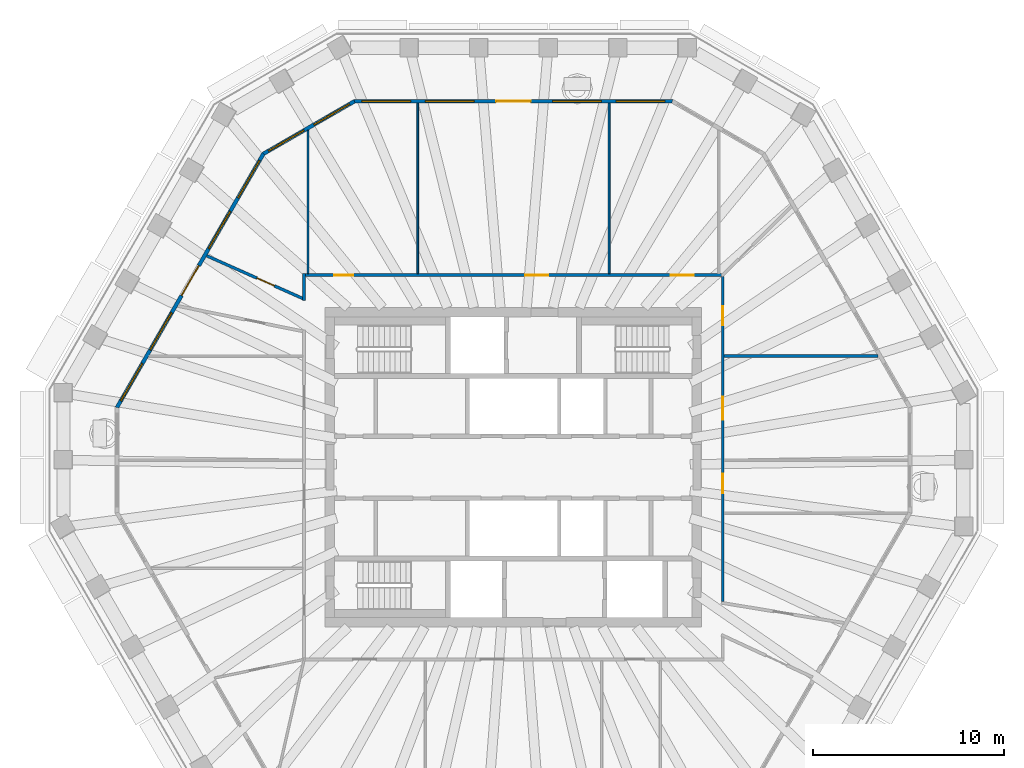
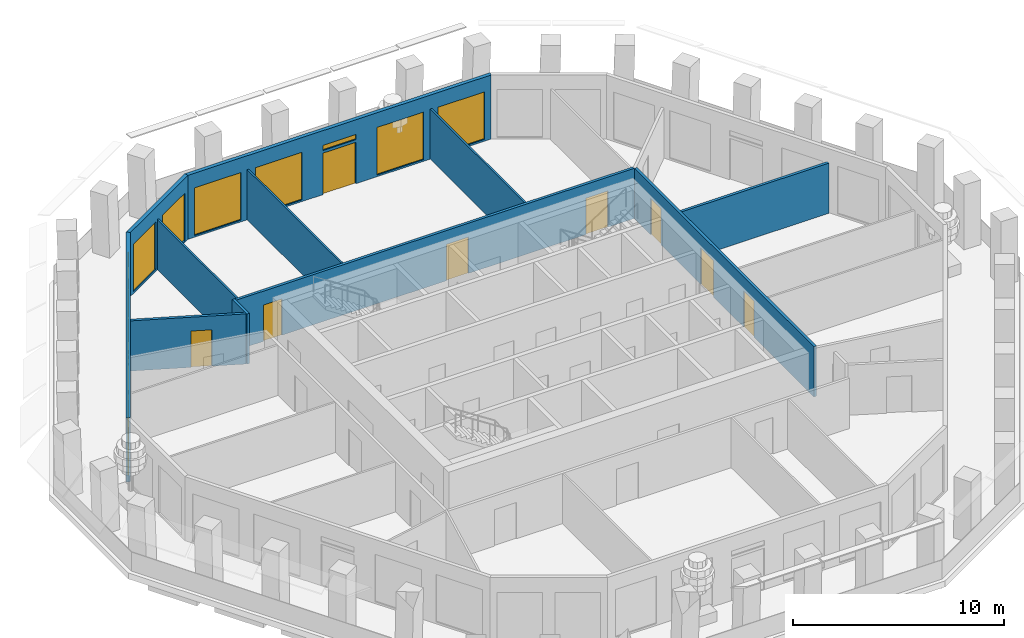
# One storey, part 6 of 11: 12 windows, 11 walls, 9 doors, 21 openings.
"""IFC4 building model written with IfcOpenShell, lengths in metres."""

from ifc_helpers import new_model, si_unit, direction, frame, frame_2d, origin, place, context, subcontext, project, spatial, polyline, rectangle, outline, extrude, material, layer, layer_set, type_object, element, fill, save


model = new_model("IFC4")

# Units and contexts
model_context = context("Model", 3, precision=1e-05, world=origin(), true_north=direction((0.0, 1.0)))
body_context = subcontext(model_context, "Body", "Model", "MODEL_VIEW")
ifc_project = project(units=[si_unit("LENGTHUNIT", "METRE"), si_unit("AREAUNIT", "SQUARE_METRE"), si_unit("VOLUMEUNIT", "CUBIC_METRE"), si_unit("PLANEANGLEUNIT", "RADIAN"), si_unit("MASSUNIT", "GRAM", prefix="KILO")], contexts=[model_context])

# Site, building, storey
site_placement = place(None, origin())
site = spatial("IfcSite", under=ifc_project, at=site_placement, CompositionType="ELEMENT")
building_placement = place(site_placement, origin())
building = spatial("IfcBuilding", under=site, at=building_placement, Name="Frailejon Research Tower", CompositionType="ELEMENT")
storey_placement = place(building_placement, frame((0.0, 0.0, 275.0)))
storey = spatial("IfcBuildingStorey", under=building, at=storey_placement, Name="L60", CompositionType="ELEMENT", Elevation=275.0)

# Wall, opening, door
ifc_material_1 = material(Name="Gypsum board and masonry partition", Category="masonry")
ifc_layer_1 = layer(ifc_material_1, 0.14990234375)
ifc_layer_set_1 = layer_set([ifc_layer_1], Name="Corridor wall EI 60, gypsum on steel studs 150")
wall_type_1 = type_object("IfcWallType", Name="Corridor wall EI 60, gypsum on steel studs 150", PredefinedType="PARTITIONING", material=ifc_layer_set_1)
wall_1_placement = place(storey_placement, frame((-16.044921875, 11.0634765625, 0.0), z_axis=(0.0, 0.0, 1.0), x_axis=(0.913864623632, -0.406019026246, 0.0)))
wall_1 = element("IfcWall", 1, at=wall_1_placement, inside=storey, type_object=wall_type_1, Name="T:IW:L60:001", PredefinedType="PARTITIONING", context=body_context, shape_type="SweptSolid", body=[
    extrude(rectangle(XDim=5.500244140625, YDim=0.14990234375, at=frame_2d((2.75, 0.0))), origin(), (0.0, 0.0, 1.0), 2.89990234375),
])
opening_1_placement = place(wall_1_placement, frame((2.868896484375, 0.0, 0.0)))
opening_1 = element("IfcOpeningElement", 2, at=opening_1_placement, cuts=wall_1, Name="Opening D2157", PredefinedType="OPENING", context=body_context, shape_type="SweptSolid", body=[
    extrude(rectangle(XDim=1.0, YDim=2.10009765625, at=frame_2d((0.5, 1.050048828125))), frame((0.0, 0.0849609375, 0.0), z_axis=(0.0, -1.0, 0.0), x_axis=(1.0, 0.0, 0.0)), (0.0, 0.0, 1.0), 0.169921875),
])
ifc_material_2 = material(Name="Timber door leaf", Category="wood")
door_type_1 = type_object("IfcDoorType", Name="Door single leaf, timber, steel frame 1000", OperationType="NOTDEFINED", PredefinedType="DOOR", material=ifc_material_2)
door_1_placement = place(opening_1_placement, origin())
door_1 = element("IfcDoor", 3, at=door_1_placement, inside=storey, type_object=door_type_1, Name="D2157", OperationType="SINGLE_SWING_RIGHT", OverallHeight=2.10009765625, OverallWidth=1.0, PredefinedType="DOOR", context=body_context, shape_type="SweptSolid", body=[
    extrude(rectangle(XDim=1.0, YDim=2.10009765625, at=frame_2d((0.5, 1.050048828125))), frame((0.0, 0.02490234375, 0.0), z_axis=(0.0, -1.0, 0.0), x_axis=(1.0, 0.0, 0.0)), (0.0, 0.0, 1.0), 0.050048828125),
])
fill(opening_1, door_1)

# Wall, openings, doors
wall_2_placement = place(storey_placement, frame((10.949951171875, -7.02490234375, 0.0), z_axis=(0.0, 0.0, 1.0), x_axis=(0.0, 1.0, 0.0)))
wall_2 = element("IfcWall", 4, at=wall_2_placement, inside=storey, type_object=wall_type_1, Name="T:IW:L60:004", PredefinedType="PARTITIONING", context=body_context, shape_type="SweptSolid", body=[
    extrude(rectangle(XDim=17.0, YDim=0.14990234375, at=frame_2d((8.5, 0.0))), origin(), (0.0, 0.0, 1.0), 2.89990234375),
])
opening_2_placement = place(wall_2_placement, frame((9.52294921875, 0.0, 0.0)))
opening_2 = element("IfcOpeningElement", 5, at=opening_2_placement, cuts=wall_2, Name="Opening D2151", PredefinedType="OPENING", context=body_context, shape_type="SweptSolid", body=[
    extrude(rectangle(XDim=1.199951171875, YDim=2.10009765625, at=frame_2d((0.60009765625, 1.050048828125))), frame((0.0, 0.0849609375, 0.0), z_axis=(0.0, -1.0, 0.0), x_axis=(1.0, 0.0, 0.0)), (0.0, 0.0, 1.0), 0.169921875),
])
opening_3_placement = place(wall_2_placement, frame((14.45947265625, 0.0, 0.0)))
opening_3 = element("IfcOpeningElement", 6, at=opening_3_placement, cuts=wall_2, Name="Opening D2152", PredefinedType="OPENING", context=body_context, shape_type="SweptSolid", body=[
    extrude(rectangle(XDim=1.0, YDim=2.10009765625, at=frame_2d((0.5, 1.050048828125))), frame((0.0, 0.0849609375, 0.0), z_axis=(0.0, -1.0, 0.0), x_axis=(1.0, 0.0, 0.0)), (0.0, 0.0, 1.0), 0.169921875),
])
opening_4_placement = place(wall_2_placement, frame((5.674560546875, 0.0, 0.0)))
opening_4 = element("IfcOpeningElement", 7, at=opening_4_placement, cuts=wall_2, Name="Opening D2168", PredefinedType="OPENING", context=body_context, shape_type="SweptSolid", body=[
    extrude(rectangle(XDim=1.0, YDim=2.10009765625, at=frame_2d((0.5, 1.050048828125))), frame((0.0, 0.0849609375, 0.0), z_axis=(0.0, -1.0, 0.0), x_axis=(1.0, 0.0, 0.0)), (0.0, 0.0, 1.0), 0.169921875),
])
ifc_material_3 = material(Name="Timber door leaf", Category="wood")
door_type_2 = type_object("IfcDoorType", Name="Door laboratory, timber, vision panel 1000", OperationType="NOTDEFINED", PredefinedType="DOOR", material=ifc_material_3)
door_2_placement = place(opening_3_placement, origin())
door_2 = element("IfcDoor", 8, at=door_2_placement, inside=storey, type_object=door_type_2, Name="D2152", OperationType="SINGLE_SWING_LEFT", OverallHeight=2.10009765625, OverallWidth=1.0, PredefinedType="DOOR", context=body_context, shape_type="SweptSolid", body=[
    extrude(rectangle(XDim=1.0, YDim=2.10009765625, at=frame_2d((0.5, 1.050048828125))), frame((0.0, 0.02490234375, 0.0), z_axis=(0.0, -1.0, 0.0), x_axis=(1.0, 0.0, 0.0)), (0.0, 0.0, 1.0), 0.050048828125),
])
fill(opening_3, door_2)
door_3_placement = place(opening_4_placement, origin())
door_3 = element("IfcDoor", 9, at=door_3_placement, inside=storey, type_object=door_type_1, Name="D2168", OperationType="SINGLE_SWING_RIGHT", OverallHeight=2.10009765625, OverallWidth=1.0, PredefinedType="DOOR", context=body_context, shape_type="SweptSolid", body=[
    extrude(rectangle(XDim=1.0, YDim=2.10009765625, at=frame_2d((0.5, 1.050048828125))), frame((0.0, 0.02490234375, 0.0), z_axis=(0.0, -1.0, 0.0), x_axis=(1.0, 0.0, 0.0)), (0.0, 0.0, 1.0), 0.050048828125),
])
fill(opening_4, door_3)
ifc_material_4 = material(Name="Timber door leaf", Category="wood")
door_type_3 = type_object("IfcDoorType", Name="Door single leaf, timber, steel frame 1200", OperationType="NOTDEFINED", PredefinedType="DOOR", material=ifc_material_4)
door_4_placement = place(opening_2_placement, origin())
door_4 = element("IfcDoor", 10, at=door_4_placement, inside=storey, type_object=door_type_3, Name="D2151", OperationType="DOUBLE_DOOR_SINGLE_SWING", OverallHeight=2.10009765625, OverallWidth=1.199951171875, PredefinedType="DOOR", context=body_context, shape_type="SweptSolid", body=[
    extrude(rectangle(XDim=1.199951171875, YDim=2.10009765625, at=frame_2d((0.60009765625, 1.050048828125))), frame((0.0, 0.02490234375, 0.0), z_axis=(0.0, -1.0, 0.0), x_axis=(1.0, 0.0, 0.0)), (0.0, 0.0, 1.0), 0.050048828125),
])
fill(opening_2, door_4)

wall_3_placement = place(storey_placement, frame((-10.875, 10.050048828125, 0.0), z_axis=(0.0, 0.0, 1.0), x_axis=(1.0, 0.0, 0.0)))
wall_3 = element("IfcWall", 11, at=wall_3_placement, inside=storey, type_object=wall_type_1, Name="T:IW:L60:005", PredefinedType="PARTITIONING", context=body_context, shape_type="SweptSolid", body=[
    extrude(rectangle(XDim=21.75, YDim=0.14990234375, at=frame_2d((10.875, 0.0))), origin(), (0.0, 0.0, 1.0), 2.89990234375),
])
opening_5_placement = place(wall_3_placement, frame((19.11181640625, 0.0, 0.0)))
opening_5 = element("IfcOpeningElement", 12, at=opening_5_placement, cuts=wall_3, Name="Opening D2154", PredefinedType="OPENING", context=body_context, shape_type="SweptSolid", body=[
    extrude(rectangle(XDim=1.199951171875, YDim=2.10009765625, at=frame_2d((0.60009765625, 1.050048828125))), frame((0.0, 0.0849609375, 0.0), z_axis=(0.0, -1.0, 0.0), x_axis=(1.0, 0.0, 0.0)), (0.0, 0.0, 1.0), 0.169921875),
])
opening_6_placement = place(wall_3_placement, frame((11.491455078125, 0.0, 0.0)))
opening_6 = element("IfcOpeningElement", 13, at=opening_6_placement, cuts=wall_3, Name="Opening D2155", PredefinedType="OPENING", context=body_context, shape_type="SweptSolid", body=[
    extrude(rectangle(XDim=1.199951171875, YDim=2.10009765625, at=frame_2d((0.60009765625, 1.050048828125))), frame((0.0, 0.0849609375, 0.0), z_axis=(0.0, -1.0, 0.0), x_axis=(1.0, 0.0, 0.0)), (0.0, 0.0, 1.0), 0.169921875),
])
opening_7_placement = place(wall_3_placement, frame((1.48828125, 0.0, 0.0)))
opening_7 = element("IfcOpeningElement", 14, at=opening_7_placement, cuts=wall_3, Name="Opening D2156", PredefinedType="OPENING", context=body_context, shape_type="SweptSolid", body=[
    extrude(rectangle(XDim=1.0, YDim=2.10009765625, at=frame_2d((0.5, 1.050048828125))), frame((0.0, 0.0849609375, 0.0), z_axis=(0.0, -1.0, 0.0), x_axis=(1.0, 0.0, 0.0)), (0.0, 0.0, 1.0), 0.169921875),
])
door_5_placement = place(opening_7_placement, origin())
door_5 = element("IfcDoor", 15, at=door_5_placement, inside=storey, type_object=door_type_1, Name="D2156", OperationType="SINGLE_SWING_LEFT", OverallHeight=2.10009765625, OverallWidth=1.0, PredefinedType="DOOR", context=body_context, shape_type="SweptSolid", body=[
    extrude(rectangle(XDim=1.0, YDim=2.10009765625, at=frame_2d((0.5, 1.050048828125))), frame((0.0, 0.02490234375, 0.0), z_axis=(0.0, -1.0, 0.0), x_axis=(1.0, 0.0, 0.0)), (0.0, 0.0, 1.0), 0.050048828125),
])
fill(opening_7, door_5)
door_6_placement = place(opening_5_placement, origin())
door_6 = element("IfcDoor", 16, at=door_6_placement, inside=storey, type_object=door_type_3, Name="D2154", OperationType="DOUBLE_DOOR_SINGLE_SWING", OverallHeight=2.10009765625, OverallWidth=1.199951171875, PredefinedType="DOOR", context=body_context, shape_type="SweptSolid", body=[
    extrude(rectangle(XDim=1.199951171875, YDim=2.10009765625, at=frame_2d((0.60009765625, 1.050048828125))), frame((0.0, 0.02490234375, 0.0), z_axis=(0.0, -1.0, 0.0), x_axis=(1.0, 0.0, 0.0)), (0.0, 0.0, 1.0), 0.050048828125),
])
fill(opening_5, door_6)
door_7_placement = place(opening_6_placement, origin())
door_7 = element("IfcDoor", 17, at=door_7_placement, inside=storey, type_object=door_type_3, Name="D2155", OperationType="DOUBLE_DOOR_SINGLE_SWING", OverallHeight=2.10009765625, OverallWidth=1.199951171875, PredefinedType="DOOR", context=body_context, shape_type="SweptSolid", body=[
    extrude(rectangle(XDim=1.199951171875, YDim=2.10009765625, at=frame_2d((0.60009765625, 1.050048828125))), frame((0.0, 0.02490234375, 0.0), z_axis=(0.0, -1.0, 0.0), x_axis=(1.0, 0.0, 0.0)), (0.0, 0.0, 1.0), 0.050048828125),
])
fill(opening_6, door_7)

# Walls
wall_4_placement = place(storey_placement, frame((-10.949951171875, 8.72509765625, 0.0), z_axis=(0.0, 0.0, 1.0), x_axis=(0.0, 1.0, 0.0)))
element("IfcWall", 18, at=wall_4_placement, inside=storey, type_object=wall_type_1, Name="T:IW:L60:007", PredefinedType="PARTITIONING", context=body_context, shape_type="SweptSolid", body=[
    extrude(rectangle(XDim=1.39990234375, YDim=0.14990234375, at=frame_2d((0.699951171875, 0.0))), origin(), (0.0, 0.0, 1.0), 2.89990234375),
])
ifc_material_5 = material(Name="Gypsum board and masonry partition", Category="masonry")
ifc_layer_2 = layer(ifc_material_5, 0.14990234375)
ifc_layer_set_2 = layer_set([ifc_layer_2], Name="Laboratory partition, blockwork 150")
wall_type_2 = type_object("IfcWallType", Name="Laboratory partition, blockwork 150", PredefinedType="PARTITIONING", material=ifc_layer_set_2)
wall_5_placement = place(storey_placement, frame((11.02490234375, 5.81884765625, 0.0), z_axis=(0.0, 0.0, 1.0), x_axis=(1.0, 0.0, 0.0)))
element("IfcWall", 19, at=wall_5_placement, inside=storey, type_object=wall_type_2, Name="T:IW:L60:011", PredefinedType="PARTITIONING", context=body_context, shape_type="SweptSolid", body=[
    extrude(rectangle(XDim=8.048095703125, YDim=0.14990234375, at=frame_2d((4.02392578125, 0.0))), origin(), (0.0, 0.0, 1.0), 2.89990234375),
])
ifc_material_6 = material(Name="Gypsum board and masonry partition", Category="masonry")
ifc_layer_3 = layer(ifc_material_6, 0.10009765625)
ifc_layer_set_3 = layer_set([ifc_layer_3], Name="Partition, gypsum on steel studs 100")
wall_type_3 = type_object("IfcWallType", Name="Partition, gypsum on steel studs 100", PredefinedType="PARTITIONING", material=ifc_layer_set_3)
for number, where, z_axis, x_axis, name in (
    (20, (5.004638671875, 10.125, 0.0), (0.0, 0.0, 1.0), (0.0, 1.0, 0.0), "T:IW:L60:016"),
    (21, (-5.004638671875, 10.125, 0.0), (0.0, 0.0, 1.0), (0.0, 1.0, 0.0), "T:IW:L60:017"),
):
    element("IfcWall", number, at=place(storey_placement, frame(where, z_axis=z_axis, x_axis=x_axis)), inside=storey, type_object=wall_type_3, Name=name, PredefinedType="PARTITIONING", context=body_context, shape_type="SweptSolid", body=[
        extrude(rectangle(XDim=8.925048828125, YDim=0.10009765625, at=frame_2d((4.46240234375, 0.0))), origin(), (0.0, 0.0, 1.0), 2.89990234375),
    ])
wall_6_placement = place(storey_placement, frame((-10.747314453125, 10.125, 0.0), z_axis=(0.0, 0.0, 1.0), x_axis=(0.0, 1.0, 0.0)))
element("IfcWall", 22, at=wall_6_placement, inside=storey, type_object=wall_type_3, Name="T:IW:L60:018", PredefinedType="PARTITIONING", context=body_context, shape_type="SweptSolid", body=[
    extrude(rectangle(XDim=7.5048828125, YDim=0.10009765625, at=frame_2d((3.75244140625, 0.0))), origin(), (0.0, 0.0, 1.0), 2.89990234375),
])

# Wall, openings, door, windows
ifc_material_7 = material(Name="Concrete C40/50 precast window wall panel", Category="concrete")
ifc_layer_4 = layer(ifc_material_7, 0.199951171875)
ifc_layer_set_4 = layer_set([ifc_layer_4], Name="Window wall 200")
wall_type_4 = type_object("IfcWallType", Name="Window wall 200", PredefinedType="SOLIDWALL", material=ifc_layer_set_4)
wall_7_placement = place(storey_placement, frame((8.314208984375, 19.14990234375, 0.0), z_axis=(0.0, 0.0, 1.0), x_axis=(-1.0, 0.0, 0.0)))
wall_7 = element("IfcWall", 23, at=wall_7_placement, inside=storey, type_object=wall_type_4, Name="Exterior wall L60", PredefinedType="SOLIDWALL", context=body_context, shape_type="SweptSolid", body=[
    extrude(outline(polyline([(-0.02685546875, -0.10009765625), (1.015869140625, -0.10009765625), (2.058349609375, -0.10009765625), (3.10107421875, -0.10009765625), (4.1435546875, -0.10009765625), (5.186279296875, -0.10009765625), (6.22900390625, -0.10009765625), (7.271484375, -0.10009765625), (8.314208984375, -0.10009765625), (9.35693359375, -0.10009765625), (10.3994140625, -0.10009765625), (11.442138671875, -0.10009765625), (12.48486328125, -0.10009765625), (13.52734375, -0.10009765625), (14.570068359375, -0.10009765625), (15.612548828125, -0.10009765625), (16.6552734375, -0.10009765625), (16.6015625, 0.10009765625), (15.565673828125, 0.10009765625), (14.52978515625, 0.10009765625), (13.493896484375, 0.10009765625), (12.4580078125, 0.10009765625), (11.421875, 0.10009765625), (10.385986328125, 0.10009765625), (9.35009765625, 0.10009765625), (8.314208984375, 0.10009765625), (7.2783203125, 0.10009765625), (6.242431640625, 0.10009765625), (5.20654296875, 0.10009765625), (4.17041015625, 0.10009765625), (3.134521484375, 0.10009765625), (2.0986328125, 0.10009765625), (1.062744140625, 0.10009765625), (0.02685546875, 0.10009765625), (-0.02685546875, -0.10009765625)])), origin(), (0.0, 0.0, 1.0), 3.699951171875),
])
opening_8_placement = place(wall_7_placement, frame((0.387939453125, 0.0, 0.10009765625)))
opening_8 = element("IfcOpeningElement", 24, at=opening_8_placement, cuts=wall_7, Name="Opening W25", PredefinedType="OPENING", context=body_context, shape_type="SweptSolid", body=[
    extrude(rectangle(XDim=2.550048828125, YDim=2.75, at=frame_2d((1.27490234375, 1.375))), frame((0.0, 0.10986328125, 0.0), z_axis=(0.0, -1.0, 0.0), x_axis=(1.0, 0.0, 0.0)), (0.0, 0.0, 1.0), 0.219970703125),
])
opening_9_placement = place(wall_7_placement, frame((3.713623046875, 0.0, 0.10009765625)))
opening_9 = element("IfcOpeningElement", 25, at=opening_9_placement, cuts=wall_7, Name="Opening W25", PredefinedType="OPENING", context=body_context, shape_type="SweptSolid", body=[
    extrude(rectangle(XDim=2.550048828125, YDim=2.75, at=frame_2d((1.27490234375, 1.375))), frame((0.0, 0.10986328125, 0.0), z_axis=(0.0, -1.0, 0.0), x_axis=(1.0, 0.0, 0.0)), (0.0, 0.0, 1.0), 0.219970703125),
])
opening_10_placement = place(wall_7_placement, frame((7.414306640625, 0.0, 0.0)))
opening_10 = element("IfcOpeningElement", 26, at=opening_10_placement, cuts=wall_7, Name="Opening LG60-2", PredefinedType="OPENING", context=body_context, shape_type="SweptSolid", body=[
    extrude(rectangle(XDim=1.800048828125, YDim=2.39990234375, at=frame_2d((0.89990234375, 1.199951171875))), frame((0.0, 0.10986328125, 0.0), z_axis=(0.0, -1.0, 0.0), x_axis=(1.0, 0.0, 0.0)), (0.0, 0.0, 1.0), 0.219970703125),
])
opening_11_placement = place(wall_7_placement, frame((7.414306640625, 0.0, 2.550048828125)))
opening_11 = element("IfcOpeningElement", 27, at=opening_11_placement, cuts=wall_7, Name="Opening W24", PredefinedType="OPENING", context=body_context, shape_type="SweptSolid", body=[
    extrude(rectangle(XDim=1.800048828125, YDim=0.300048828125, at=frame_2d((0.89990234375, 0.14990234375))), frame((0.0, 0.10986328125, 0.0), z_axis=(0.0, -1.0, 0.0), x_axis=(1.0, 0.0, 0.0)), (0.0, 0.0, 1.0), 0.219970703125),
])
opening_12_placement = place(wall_7_placement, frame((10.364990234375, 0.0, 0.10009765625)))
opening_12 = element("IfcOpeningElement", 28, at=opening_12_placement, cuts=wall_7, Name="Opening W25", PredefinedType="OPENING", context=body_context, shape_type="SweptSolid", body=[
    extrude(rectangle(XDim=2.550048828125, YDim=2.75, at=frame_2d((1.27490234375, 1.375))), frame((0.0, 0.10986328125, 0.0), z_axis=(0.0, -1.0, 0.0), x_axis=(1.0, 0.0, 0.0)), (0.0, 0.0, 1.0), 0.219970703125),
])
opening_13_placement = place(wall_7_placement, frame((13.69091796875, 0.0, 0.10009765625)))
opening_13 = element("IfcOpeningElement", 29, at=opening_13_placement, cuts=wall_7, Name="Opening W25", PredefinedType="OPENING", context=body_context, shape_type="SweptSolid", body=[
    extrude(rectangle(XDim=2.550048828125, YDim=2.75, at=frame_2d((1.27490234375, 1.375))), frame((0.0, 0.10986328125, 0.0), z_axis=(0.0, -1.0, 0.0), x_axis=(1.0, 0.0, 0.0)), (0.0, 0.0, 1.0), 0.219970703125),
])
ifc_material_8 = material(Name="Aluminium framed glazed door leaf", Category="aluminium")
door_type_4 = type_object("IfcDoorType", Name="Loggia door 1800x2400", OperationType="DOUBLE_DOOR_SINGLE_SWING", PredefinedType="DOOR", material=ifc_material_8)
door_8_placement = place(opening_10_placement, origin())
door_8 = element("IfcDoor", 30, at=door_8_placement, inside=storey, type_object=door_type_4, Name="Door LG60-2", OperationType="DOUBLE_DOOR_SINGLE_SWING", OverallHeight=2.39990234375, OverallWidth=1.800048828125, PredefinedType="DOOR", context=body_context, shape_type="SweptSolid", body=[
    extrude(rectangle(XDim=1.800048828125, YDim=2.39990234375, at=frame_2d((0.89990234375, 1.199951171875))), frame((0.0, 0.02490234375, 0.0), z_axis=(0.0, -1.0, 0.0), x_axis=(1.0, 0.0, 0.0)), (0.0, 0.0, 1.0), 0.050048828125),
])
fill(opening_10, door_8)
ifc_material_9 = material(Name="Aluminium framed double glazing", Category="aluminium")
window_type_1 = type_object("IfcWindowType", Name="Window 1800x300", PartitioningType="SINGLE_PANEL", PredefinedType="WINDOW", material=ifc_material_9)
window_1_placement = place(opening_11_placement, origin())
window_1 = element("IfcWindow", 31, at=window_1_placement, inside=storey, type_object=window_type_1, Name="Window L60", OverallHeight=0.300048828125, OverallWidth=1.800048828125, PartitioningType="SINGLE_PANEL", PredefinedType="WINDOW", context=body_context, shape_type="SweptSolid", body=[
    extrude(rectangle(XDim=1.800048828125, YDim=0.300048828125, at=frame_2d((0.89990234375, 0.14990234375))), frame((0.0, 0.030029296875, 0.0), z_axis=(0.0, -1.0, 0.0), x_axis=(1.0, 0.0, 0.0)), (0.0, 0.0, 1.0), 0.06005859375),
])
fill(opening_11, window_1)
ifc_material_10 = material(Name="Aluminium framed double glazing", Category="aluminium")
window_type_2 = type_object("IfcWindowType", Name="Window 2550x2750", PartitioningType="SINGLE_PANEL", PredefinedType="WINDOW", material=ifc_material_10)
window_2_placement = place(opening_8_placement, origin())
window_2 = element("IfcWindow", 32, at=window_2_placement, inside=storey, type_object=window_type_2, Name="Window L60", OverallHeight=2.75, OverallWidth=2.550048828125, PartitioningType="SINGLE_PANEL", PredefinedType="WINDOW", context=body_context, shape_type="SweptSolid", body=[
    extrude(rectangle(XDim=2.550048828125, YDim=2.75, at=frame_2d((1.27490234375, 1.375))), frame((0.0, 0.030029296875, 0.0), z_axis=(0.0, -1.0, 0.0), x_axis=(1.0, 0.0, 0.0)), (0.0, 0.0, 1.0), 0.06005859375),
])
fill(opening_8, window_2)
window_3_placement = place(opening_9_placement, origin())
window_3 = element("IfcWindow", 33, at=window_3_placement, inside=storey, type_object=window_type_2, Name="Window L60", OverallHeight=2.75, OverallWidth=2.550048828125, PartitioningType="SINGLE_PANEL", PredefinedType="WINDOW", context=body_context, shape_type="SweptSolid", body=[
    extrude(rectangle(XDim=2.550048828125, YDim=2.75, at=frame_2d((1.27490234375, 1.375))), frame((0.0, 0.030029296875, 0.0), z_axis=(0.0, -1.0, 0.0), x_axis=(1.0, 0.0, 0.0)), (0.0, 0.0, 1.0), 0.06005859375),
])
fill(opening_9, window_3)
window_4_placement = place(opening_12_placement, origin())
window_4 = element("IfcWindow", 34, at=window_4_placement, inside=storey, type_object=window_type_2, Name="Window L60", OverallHeight=2.75, OverallWidth=2.550048828125, PartitioningType="SINGLE_PANEL", PredefinedType="WINDOW", context=body_context, shape_type="SweptSolid", body=[
    extrude(rectangle(XDim=2.550048828125, YDim=2.75, at=frame_2d((1.27490234375, 1.375))), frame((0.0, 0.030029296875, 0.0), z_axis=(0.0, -1.0, 0.0), x_axis=(1.0, 0.0, 0.0)), (0.0, 0.0, 1.0), 0.06005859375),
])
fill(opening_12, window_4)
window_5_placement = place(opening_13_placement, origin())
window_5 = element("IfcWindow", 35, at=window_5_placement, inside=storey, type_object=window_type_2, Name="Window L60", OverallHeight=2.75, OverallWidth=2.550048828125, PartitioningType="SINGLE_PANEL", PredefinedType="WINDOW", context=body_context, shape_type="SweptSolid", body=[
    extrude(rectangle(XDim=2.550048828125, YDim=2.75, at=frame_2d((1.27490234375, 1.375))), frame((0.0, 0.030029296875, 0.0), z_axis=(0.0, -1.0, 0.0), x_axis=(1.0, 0.0, 0.0)), (0.0, 0.0, 1.0), 0.06005859375),
])
fill(opening_13, window_5)

# Wall, openings, windows
wall_8_placement = place(storey_placement, frame((-8.314208984375, 19.14990234375, 0.0), z_axis=(0.0, 0.0, 1.0), x_axis=(-0.866026017613, -0.499998936816, 0.0)))
wall_8 = element("IfcWall", 36, at=wall_8_placement, inside=storey, type_object=wall_type_4, Name="Exterior wall L60", PredefinedType="SOLIDWALL", context=body_context, shape_type="SweptSolid", body=[
    extrude(outline(polyline([(-0.02685546875, -0.10009765625), (1.08447265625, -0.10009765625), (2.196044921875, -0.10009765625), (3.307373046875, -0.10009765625), (4.4189453125, -0.10009765625), (5.5302734375, -0.10009765625), (5.4765625, 0.10009765625), (4.38671875, 0.10009765625), (3.296630859375, 0.10009765625), (2.206787109375, 0.10009765625), (1.11669921875, 0.10009765625), (0.02685546875, 0.10009765625), (-0.02685546875, -0.10009765625)])), origin(), (0.0, 0.0, 1.0), 3.699951171875),
])
opening_14_placement = place(wall_8_placement, frame((0.30078125, 0.0, 0.10009765625)))
opening_14 = element("IfcOpeningElement", 37, at=opening_14_placement, cuts=wall_8, Name="Opening W22", PredefinedType="OPENING", context=body_context, shape_type="SweptSolid", body=[
    extrude(rectangle(XDim=2.14990234375, YDim=2.75, at=frame_2d((1.074951171875, 1.375))), frame((0.0, 0.10986328125, 0.0), z_axis=(0.0, -1.0, 0.0), x_axis=(1.0, 0.0, 0.0)), (0.0, 0.0, 1.0), 0.219970703125),
])
opening_15_placement = place(wall_8_placement, frame((3.052490234375, 0.0, 0.10009765625)))
opening_15 = element("IfcOpeningElement", 38, at=opening_15_placement, cuts=wall_8, Name="Opening W22", PredefinedType="OPENING", context=body_context, shape_type="SweptSolid", body=[
    extrude(rectangle(XDim=2.14990234375, YDim=2.75, at=frame_2d((1.074951171875, 1.375))), frame((0.0, 0.10986328125, 0.0), z_axis=(0.0, -1.0, 0.0), x_axis=(1.0, 0.0, 0.0)), (0.0, 0.0, 1.0), 0.219970703125),
])
ifc_material_11 = material(Name="Aluminium framed double glazing", Category="aluminium")
window_type_3 = type_object("IfcWindowType", Name="Window 2150x2750", PartitioningType="SINGLE_PANEL", PredefinedType="WINDOW", material=ifc_material_11)
window_6_placement = place(opening_14_placement, origin())
window_6 = element("IfcWindow", 39, at=window_6_placement, inside=storey, type_object=window_type_3, Name="Window L60", OverallHeight=2.75, OverallWidth=2.14990234375, PartitioningType="SINGLE_PANEL", PredefinedType="WINDOW", context=body_context, shape_type="SweptSolid", body=[
    extrude(rectangle(XDim=2.14990234375, YDim=2.75, at=frame_2d((1.074951171875, 1.375))), frame((0.0, 0.030029296875, 0.0), z_axis=(0.0, -1.0, 0.0), x_axis=(1.0, 0.0, 0.0)), (0.0, 0.0, 1.0), 0.06005859375),
])
fill(opening_14, window_6)
window_7_placement = place(opening_15_placement, origin())
window_7 = element("IfcWindow", 40, at=window_7_placement, inside=storey, type_object=window_type_3, Name="Window L60", OverallHeight=2.75, OverallWidth=2.14990234375, PartitioningType="SINGLE_PANEL", PredefinedType="WINDOW", context=body_context, shape_type="SweptSolid", body=[
    extrude(rectangle(XDim=2.14990234375, YDim=2.75, at=frame_2d((1.074951171875, 1.375))), frame((0.0, 0.030029296875, 0.0), z_axis=(0.0, -1.0, 0.0), x_axis=(1.0, 0.0, 0.0)), (0.0, 0.0, 1.0), 0.06005859375),
])
fill(opening_15, window_7)

# Wall, openings, door, windows
wall_9_placement = place(storey_placement, frame((-13.080322265625, 16.398193359375, 0.0), z_axis=(0.0, 0.0, 1.0), x_axis=(-0.500005204625, -0.866022398872, 0.0)))
wall_9 = element("IfcWall", 41, at=wall_9_placement, inside=storey, type_object=wall_type_4, Name="Exterior wall L60", PredefinedType="SOLIDWALL", context=body_context, shape_type="SweptSolid", body=[
    extrude(outline(polyline([(-0.02685546875, -0.10009765625), (0.998291015625, -0.10009765625), (2.023193359375, -0.10009765625), (3.04833984375, -0.10009765625), (4.0732421875, -0.10009765625), (5.098388671875, -0.10009765625), (6.12353515625, -0.10009765625), (7.1484375, -0.10009765625), (8.173583984375, -0.10009765625), (9.198486328125, -0.10009765625), (10.2236328125, -0.10009765625), (11.248779296875, -0.10009765625), (12.273681640625, -0.10009765625), (13.298828125, -0.10009765625), (14.32373046875, -0.10009765625), (15.348876953125, -0.10009765625), (15.295166015625, 0.10009765625), (14.27734375, 0.10009765625), (13.25927734375, 0.10009765625), (12.241455078125, 0.10009765625), (11.2236328125, 0.10009765625), (10.205810546875, 0.10009765625), (9.187744140625, 0.10009765625), (8.169921875, 0.10009765625), (7.152099609375, 0.10009765625), (6.13427734375, 0.10009765625), (5.1162109375, 0.10009765625), (4.098388671875, 0.10009765625), (3.08056640625, 0.10009765625), (2.062744140625, 0.10009765625), (1.044677734375, 0.10009765625), (0.02685546875, 0.10009765625), (-0.02685546875, -0.10009765625)])), origin(), (0.0, 0.0, 1.0), 3.699951171875),
])
opening_16_placement = place(wall_9_placement, frame((0.4072265625, 0.0, 0.10009765625)))
opening_16 = element("IfcOpeningElement", 42, at=opening_16_placement, cuts=wall_9, Name="Opening W23", PredefinedType="OPENING", context=body_context, shape_type="SweptSolid", body=[
    extrude(rectangle(XDim=2.25, YDim=2.75, at=frame_2d((1.125, 1.375))), frame((0.0, 0.10986328125, 0.0), z_axis=(0.0, -1.0, 0.0), x_axis=(1.0, 0.0, 0.0)), (0.0, 0.0, 1.0), 0.219970703125),
])
opening_17_placement = place(wall_9_placement, frame((3.4716796875, 0.0, 0.10009765625)))
opening_17 = element("IfcOpeningElement", 43, at=opening_17_placement, cuts=wall_9, Name="Opening W23", PredefinedType="OPENING", context=body_context, shape_type="SweptSolid", body=[
    extrude(rectangle(XDim=2.25, YDim=2.75, at=frame_2d((1.125, 1.375))), frame((0.0, 0.10986328125, 0.0), z_axis=(0.0, -1.0, 0.0), x_axis=(1.0, 0.0, 0.0)), (0.0, 0.0, 1.0), 0.219970703125),
])
opening_18_placement = place(wall_9_placement, frame((6.760986328125, 0.0, 0.0)))
opening_18 = element("IfcOpeningElement", 44, at=opening_18_placement, cuts=wall_9, Name="Opening LG60-3", PredefinedType="OPENING", context=body_context, shape_type="SweptSolid", body=[
    extrude(rectangle(XDim=1.800048828125, YDim=2.39990234375, at=frame_2d((0.89990234375, 1.199951171875))), frame((0.0, 0.10986328125, 0.0), z_axis=(0.0, -1.0, 0.0), x_axis=(1.0, 0.0, 0.0)), (0.0, 0.0, 1.0), 0.219970703125),
])
opening_19_placement = place(wall_9_placement, frame((6.760986328125, 0.0, 2.550048828125)))
opening_19 = element("IfcOpeningElement", 45, at=opening_19_placement, cuts=wall_9, Name="Opening W24", PredefinedType="OPENING", context=body_context, shape_type="SweptSolid", body=[
    extrude(rectangle(XDim=1.800048828125, YDim=0.300048828125, at=frame_2d((0.89990234375, 0.14990234375))), frame((0.0, 0.10986328125, 0.0), z_axis=(0.0, -1.0, 0.0), x_axis=(1.0, 0.0, 0.0)), (0.0, 0.0, 1.0), 0.219970703125),
])
opening_20_placement = place(wall_9_placement, frame((9.6005859375, 0.0, 0.10009765625)))
opening_20 = element("IfcOpeningElement", 46, at=opening_20_placement, cuts=wall_9, Name="Opening W23", PredefinedType="OPENING", context=body_context, shape_type="SweptSolid", body=[
    extrude(rectangle(XDim=2.25, YDim=2.75, at=frame_2d((1.125, 1.375))), frame((0.0, 0.10986328125, 0.0), z_axis=(0.0, -1.0, 0.0), x_axis=(1.0, 0.0, 0.0)), (0.0, 0.0, 1.0), 0.219970703125),
])
opening_21_placement = place(wall_9_placement, frame((12.6650390625, 0.0, 0.10009765625)))
opening_21 = element("IfcOpeningElement", 47, at=opening_21_placement, cuts=wall_9, Name="Opening W23", PredefinedType="OPENING", context=body_context, shape_type="SweptSolid", body=[
    extrude(rectangle(XDim=2.25, YDim=2.75, at=frame_2d((1.125, 1.375))), frame((0.0, 0.10986328125, 0.0), z_axis=(0.0, -1.0, 0.0), x_axis=(1.0, 0.0, 0.0)), (0.0, 0.0, 1.0), 0.219970703125),
])
door_9_placement = place(opening_18_placement, origin())
door_9 = element("IfcDoor", 48, at=door_9_placement, inside=storey, type_object=door_type_4, Name="Door LG60-3", OperationType="DOUBLE_DOOR_SINGLE_SWING", OverallHeight=2.39990234375, OverallWidth=1.800048828125, PredefinedType="DOOR", context=body_context, shape_type="SweptSolid", body=[
    extrude(rectangle(XDim=1.800048828125, YDim=2.39990234375, at=frame_2d((0.89990234375, 1.199951171875))), frame((0.0, 0.02490234375, 0.0), z_axis=(0.0, -1.0, 0.0), x_axis=(1.0, 0.0, 0.0)), (0.0, 0.0, 1.0), 0.050048828125),
])
fill(opening_18, door_9)
window_8_placement = place(opening_19_placement, origin())
window_8 = element("IfcWindow", 49, at=window_8_placement, inside=storey, type_object=window_type_1, Name="Window L60", OverallHeight=0.300048828125, OverallWidth=1.800048828125, PartitioningType="SINGLE_PANEL", PredefinedType="WINDOW", context=body_context, shape_type="SweptSolid", body=[
    extrude(rectangle(XDim=1.800048828125, YDim=0.300048828125, at=frame_2d((0.89990234375, 0.14990234375))), frame((0.0, 0.030029296875, 0.0), z_axis=(0.0, -1.0, 0.0), x_axis=(1.0, 0.0, 0.0)), (0.0, 0.0, 1.0), 0.06005859375),
])
fill(opening_19, window_8)
ifc_material_12 = material(Name="Aluminium framed double glazing", Category="aluminium")
window_type_4 = type_object("IfcWindowType", Name="Window 2250x2750", PartitioningType="SINGLE_PANEL", PredefinedType="WINDOW", material=ifc_material_12)
window_9_placement = place(opening_16_placement, origin())
window_9 = element("IfcWindow", 50, at=window_9_placement, inside=storey, type_object=window_type_4, Name="Window L60", OverallHeight=2.75, OverallWidth=2.25, PartitioningType="SINGLE_PANEL", PredefinedType="WINDOW", context=body_context, shape_type="SweptSolid", body=[
    extrude(rectangle(XDim=2.25, YDim=2.75, at=frame_2d((1.125, 1.375))), frame((0.0, 0.030029296875, 0.0), z_axis=(0.0, -1.0, 0.0), x_axis=(1.0, 0.0, 0.0)), (0.0, 0.0, 1.0), 0.06005859375),
])
fill(opening_16, window_9)
window_10_placement = place(opening_17_placement, origin())
window_10 = element("IfcWindow", 51, at=window_10_placement, inside=storey, type_object=window_type_4, Name="Window L60", OverallHeight=2.75, OverallWidth=2.25, PartitioningType="SINGLE_PANEL", PredefinedType="WINDOW", context=body_context, shape_type="SweptSolid", body=[
    extrude(rectangle(XDim=2.25, YDim=2.75, at=frame_2d((1.125, 1.375))), frame((0.0, 0.030029296875, 0.0), z_axis=(0.0, -1.0, 0.0), x_axis=(1.0, 0.0, 0.0)), (0.0, 0.0, 1.0), 0.06005859375),
])
fill(opening_17, window_10)
window_11_placement = place(opening_20_placement, origin())
window_11 = element("IfcWindow", 52, at=window_11_placement, inside=storey, type_object=window_type_4, Name="Window L60", OverallHeight=2.75, OverallWidth=2.25, PartitioningType="SINGLE_PANEL", PredefinedType="WINDOW", context=body_context, shape_type="SweptSolid", body=[
    extrude(rectangle(XDim=2.25, YDim=2.75, at=frame_2d((1.125, 1.375))), frame((0.0, 0.030029296875, 0.0), z_axis=(0.0, -1.0, 0.0), x_axis=(1.0, 0.0, 0.0)), (0.0, 0.0, 1.0), 0.06005859375),
])
fill(opening_20, window_11)
window_12_placement = place(opening_21_placement, origin())
window_12 = element("IfcWindow", 53, at=window_12_placement, inside=storey, type_object=window_type_4, Name="Window L60", OverallHeight=2.75, OverallWidth=2.25, PartitioningType="SINGLE_PANEL", PredefinedType="WINDOW", context=body_context, shape_type="SweptSolid", body=[
    extrude(rectangle(XDim=2.25, YDim=2.75, at=frame_2d((1.125, 1.375))), frame((0.0, 0.030029296875, 0.0), z_axis=(0.0, -1.0, 0.0), x_axis=(1.0, 0.0, 0.0)), (0.0, 0.0, 1.0), 0.06005859375),
])
fill(opening_21, window_12)

save(model, "model.ifc")
